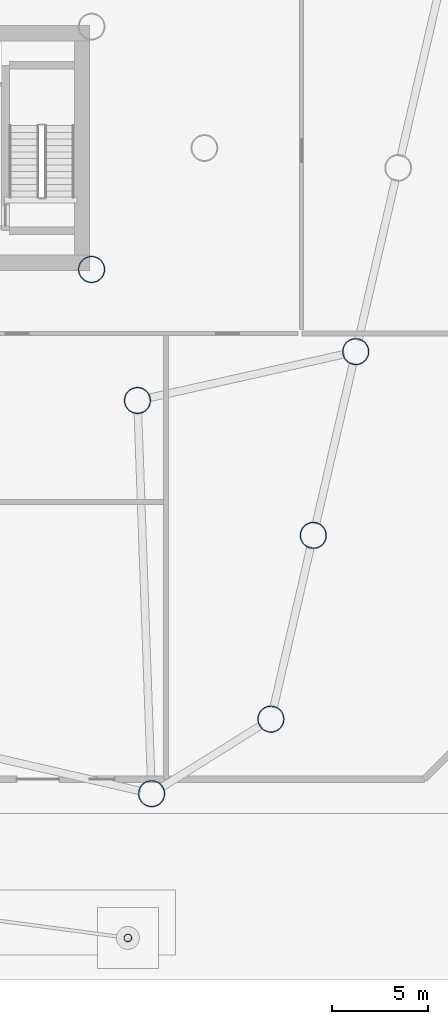
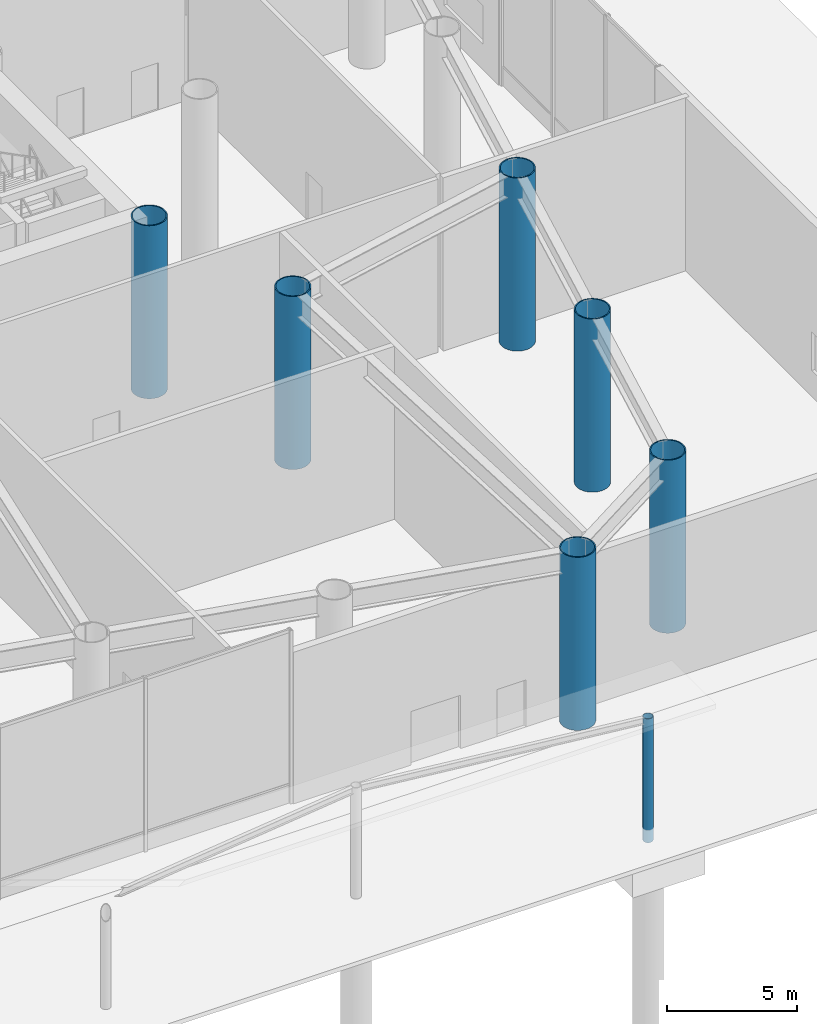
# One storey, part 5 of 28: 7 columns.
"""IFC4 building model written with IfcOpenShell, lengths in metres."""

from ifc_helpers import new_model, si_unit, direction, frame, origin, origin_2d, place, context, subcontext, project, spatial, hollow_circle, extrude, material, material_profile, profile_set, type_object, element, save


model = new_model("IFC4")

# Units and contexts
model_context = context("Model", 3, precision=1e-05, world=origin(), true_north=direction((0.0, 1.0)))
body_context = subcontext(model_context, "Body", "Model", "MODEL_VIEW")
ifc_project = project(units=[si_unit("LENGTHUNIT", "METRE"), si_unit("AREAUNIT", "SQUARE_METRE"), si_unit("VOLUMEUNIT", "CUBIC_METRE"), si_unit("PLANEANGLEUNIT", "RADIAN"), si_unit("MASSUNIT", "GRAM", prefix="KILO")], contexts=[model_context])

# Site, building, storey
site_placement = place(None, origin())
site = spatial("IfcSite", under=ifc_project, at=site_placement, CompositionType="ELEMENT")
building_placement = place(site_placement, origin())
building = spatial("IfcBuilding", under=site, at=building_placement, Name="Tavrogorsk Clinical Tower", CompositionType="ELEMENT")
storey_placement = place(building_placement, origin())
storey = spatial("IfcBuildingStorey", under=building, at=storey_placement, Name="L00", CompositionType="ELEMENT", Elevation=0.0)

# Columns
ifc_material_1 = material(Name="Structural steel S355", Category="steel")
ifc_material_profile_1 = material_profile(ifc_material_1, hollow_circle(Radius=0.203125, WallThickness=0.01611328125, at=origin_2d()), Name="CHS-406.4x16")
ifc_profile_set_1 = profile_set([ifc_material_profile_1], Name="Structural steel S355")
column_type_1 = type_object("IfcColumnType", Name="CanopyCol_CHS406", PredefinedType="COLUMN", material=ifc_profile_set_1)
column_placement = place(storey_placement, frame((24.0, -41.300048828125, -0.60009765625), z_axis=(0.0, 0.0, 1.0), x_axis=(1.0, 0.0, 0.0)))
element("IfcColumn", 1, at=column_placement, inside=storey, type_object=column_type_1, Name="Ambulance Canopy Column CP-5", PredefinedType="COLUMN", context=body_context, shape_type="SweptSolid", body=[
    extrude(hollow_circle(Radius=0.203125, WallThickness=0.01611328125, at=origin_2d()), origin(), (0.0, 0.0, 1.0), 5.800048828125),
])
ifc_material_2 = material(Name="Structural steel S440", Category="steel")
ifc_material_profile_2 = material_profile(ifc_material_2, hollow_circle(Radius=0.699951171875, WallThickness=0.050048828125, at=origin_2d()), Name="CHS-1400x50")
ifc_profile_set_2 = profile_set([ifc_material_profile_2], Name="Structural steel S440")
column_type_2 = type_object("IfcColumnType", Name="PilotisStilt_CHS1400", PredefinedType="COLUMN", material=ifc_profile_set_2)
for number, where, z_axis, x_axis, name in (
    (2, (22.10009765625, -6.35009765625, 0.0), (0.0, 0.0, 1.0), (1.0, 0.0, 0.0), "L00 Mega Column MC-E3"),
    (3, (24.5, -13.199951171875, 0.0), (0.0, 0.0, 1.0), (1.0, 0.0, 0.0), "L00 Spine Pilotis Column MC-P2"),
    (4, (25.23974609375, -33.756591796875, 0.0), (0.0, 0.0, 1.0), (1.0, 0.0, 0.0), "L00 Open Pilotis Stilt S8"),
    (5, (31.476318359375, -29.859619140625, 0.0), (0.0, 0.0, 1.0), (1.0, 0.0, 0.0), "L00 Open Pilotis Stilt E1"),
    (6, (33.694091796875, -20.25244140625, 0.0), (0.0, 0.0, 1.0), (1.0, 0.0, 0.0), "L00 Open Pilotis Stilt E2"),
    (7, (35.912109375, -10.64501953125, 0.0), (0.0, 0.0, 1.0), (1.0, 0.0, 0.0), "L00 Open Pilotis Stilt E3"),
):
    element("IfcColumn", number, at=place(storey_placement, frame(where, z_axis=z_axis, x_axis=x_axis)), inside=storey, type_object=column_type_2, Name=name, PredefinedType="COLUMN", context=body_context, shape_type="SweptSolid", body=[
        extrude(hollow_circle(Radius=0.699951171875, WallThickness=0.050048828125, at=origin_2d()), origin(), (0.0, 0.0, 1.0), 8.10009765625),
    ])

save(model, "model.ifc")
